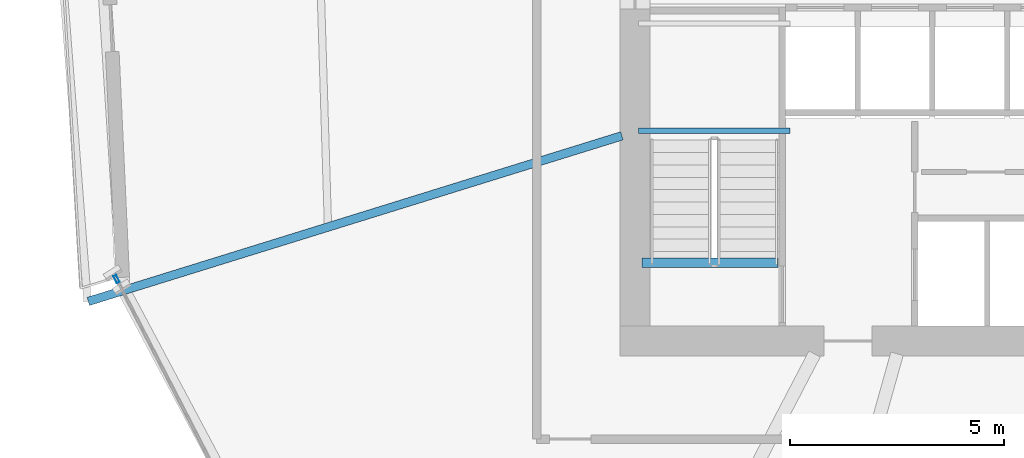
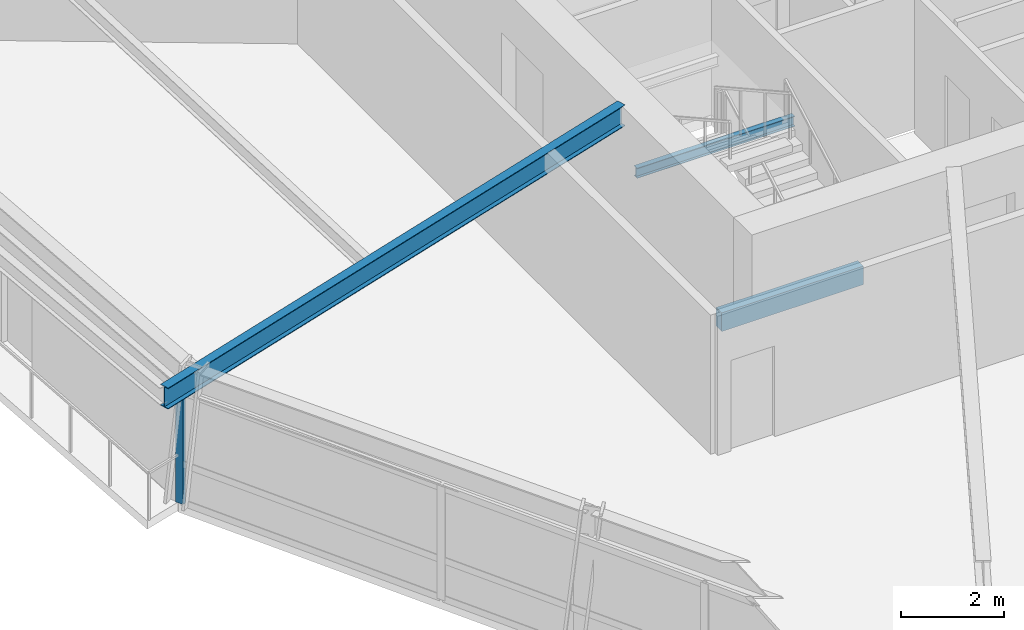
# One storey, part 5 of 19: 3 beams, 1 member, 1 element without a shape of its own.
"""IFC4 building model written with IfcOpenShell, lengths in metres."""

from ifc_helpers import new_model, si_unit, direction, frame, origin, origin_2d, place, context, subcontext, project, spatial, rectangle, hollow_rectangle, i_section, extrude, source, transform, mapped, material, material_profile, profile_set, type_object, element, aggregate, save


model = new_model("IFC4")

# Units and contexts
model_context = context("Model", 3, precision=1e-05, world=origin(), true_north=direction((0.0, 1.0)))
body_context = subcontext(model_context, "Body", "Model", "MODEL_VIEW")
ifc_project = project(units=[si_unit("LENGTHUNIT", "METRE"), si_unit("AREAUNIT", "SQUARE_METRE"), si_unit("VOLUMEUNIT", "CUBIC_METRE"), si_unit("PLANEANGLEUNIT", "RADIAN"), si_unit("MASSUNIT", "GRAM", prefix="KILO")], contexts=[model_context])

# Site, building, storey
site_placement = place(None, origin())
site = spatial("IfcSite", under=ifc_project, at=site_placement, CompositionType="ELEMENT")
building_placement = place(site_placement, origin())
building = spatial("IfcBuilding", under=site, at=building_placement, Name="Olszyna Solenne Hotel", CompositionType="ELEMENT")
storey_placement = place(building_placement, frame((0.0, 0.0, 102.14990234375)))
storey = spatial("IfcBuildingStorey", under=building, at=storey_placement, Name="L26", CompositionType="ELEMENT", Elevation=102.14990234375)

# Beam
ifc_material_1 = material(Name="Steel S355J2", Category="steel")
ifc_material_profile_1 = material_profile(ifc_material_1, i_section(OverallWidth=0.199951171875, OverallDepth=0.5, WebThickness=0.01025390625, FlangeThickness=0.01611328125, at=origin_2d()), Name="IPE 500", Category="load-bearing")
ifc_profile_set_1 = profile_set([ifc_material_profile_1], Name="Steel S355J2")
beam_type_1 = type_object("IfcBeamType", Name="BM-F3", PredefinedType="BEAM", material=ifc_profile_set_1)
shared_shape_1 = source(origin(), body_context, "Body", "SweptSolid", [
    extrude(i_section(OverallWidth=0.199951171875, OverallDepth=0.5, WebThickness=0.01025390625, FlangeThickness=0.01611328125, at=origin_2d()), origin(), (0.0, 0.0, 1.0), 13.076171875),
])
beam_1_placement = place(storey_placement, frame((16.958984375, 20.074462890625, 3.050048828125), z_axis=(0.95507671128, 0.296358694103, 0.0), x_axis=(-0.296358694103, 0.95507671128, 0.0)))
element("IfcBeam", 1, at=beam_1_placement, inside=storey, type_object=beam_type_1, Name="Radial floor girder BM-F3 B-L26-0797", PredefinedType="BEAM", context=body_context, shape_type="MappedRepresentation", body=[
    mapped(shared_shape_1, transform((0.0, 0.0, 0.0), x_axis=(1.0, 0.0, 0.0), y_axis=(0.0, 1.0, 0.0), z_axis=(0.0, 0.0, 1.0), scale=1.0)),
])

# Curtain wall, member
ifc_material_2 = material(Name="Anodised bronze aluminium", Category="aluminium")
curtain_wall_type = type_object("IfcCurtainWallType", Name="CW-SYS-3", PredefinedType="NOTDEFINED", material=ifc_material_2)
curtain_wall_placement = place(storey_placement, origin())
curtain_wall = element("IfcCurtainWall", 2, at=curtain_wall_placement, inside=storey, type_object=curtain_wall_type, Name="Unitised curtain wall CW-SYS-3 CW-L26-01", PredefinedType="NOTDEFINED")
ifc_material_profile_2 = material_profile(ifc_material_2, hollow_rectangle(XDim=0.074951171875, YDim=0.179931640625, WallThickness=0.00439453125, at=origin_2d()), Name="MULL 180x75x4.5", Category="load-bearing")
ifc_profile_set_2 = profile_set([ifc_material_profile_2], Name="Anodised bronze aluminium")
member_type = type_object("IfcMemberType", Name="CW-M2", PredefinedType="MULLION", material=ifc_profile_set_2)
shared_shape_2 = source(origin(), body_context, "Body", "SweptSolid", [
    extrude(hollow_rectangle(XDim=0.074951171875, YDim=0.179931640625, WallThickness=0.00439453125, at=origin_2d()), origin(), (0.0, 0.0, 1.0), 2.692138671875),
])
member_placement = place(storey_placement, frame((17.61962890625, 20.595947265625, 0.0), z_axis=(0.0, 0.0, 1.0), x_axis=(0.888864979698, 0.458169234963, 0.0)))
member = element("IfcMember", 3, at=member_placement, type_object=member_type, Name="Curtain-wall mullion CW-M2 CM-L26-01-01", PredefinedType="MULLION", context=body_context, shape_type="MappedRepresentation", body=[
    mapped(shared_shape_2, transform((0.0, 0.0, 0.0), x_axis=(1.0, 0.0, 0.0), y_axis=(0.0, 1.0, 0.0), z_axis=(0.0, 0.0, 1.0), scale=1.0)),
])
aggregate(curtain_wall, [member])

# Beams
ifc_material_profile_3 = material_profile(ifc_material_1, i_section(OverallWidth=0.1201171875, OverallDepth=0.239990234375, WebThickness=0.006103515625, FlangeThickness=0.009765625, at=origin_2d()), Name="IPE 240", Category="load-bearing")
ifc_profile_set_3 = profile_set([ifc_material_profile_3], Name="Steel S355J2")
beam_type_2 = type_object("IfcBeamType", Name="JS-03", PredefinedType="JOIST", material=ifc_profile_set_3)
shared_shape_3 = source(origin(), body_context, "Body", "SweptSolid", [
    extrude(i_section(OverallWidth=0.1201171875, OverallDepth=0.239990234375, WebThickness=0.006103515625, FlangeThickness=0.009765625, at=origin_2d()), origin(), (0.0, 0.0, 1.0), 3.539794921875),
])
beam_2_placement = place(storey_placement, frame((33.3798828125, 24.070068359375, 1.4501953125), z_axis=(-1.0, 0.0, 0.0), x_axis=(0.0, -1.0, 0.0)))
element("IfcBeam", 4, at=beam_2_placement, inside=storey, type_object=beam_type_2, Name="Stair landing support beam JS-03 SLB-ST1-0057", PredefinedType="JOIST", context=body_context, shape_type="MappedRepresentation", body=[
    mapped(shared_shape_3, transform((0.0, 0.0, 0.0), x_axis=(1.0, 0.0, 0.0), y_axis=(0.0, 1.0, 0.0), z_axis=(0.0, 0.0, 1.0), scale=1.0)),
])
ifc_material_3 = material(Name="Concrete C50/60", Category="concrete")
ifc_material_profile_4 = material_profile(ifc_material_3, rectangle(XDim=0.219970703125, YDim=0.43994140625, at=origin_2d()), Name="RC 220x440", Category="load-bearing")
ifc_profile_set_4 = profile_set([ifc_material_profile_4], Name="Concrete C50/60")
beam_type_3 = type_object("IfcBeamType", Name="BM-ST1", PredefinedType="BEAM", material=ifc_profile_set_4)
shared_shape_4 = source(origin(), body_context, "Body", "SweptSolid", [
    extrude(rectangle(XDim=0.219970703125, YDim=0.43994140625, at=origin_2d()), origin(), (0.0, 0.0, 1.0), 3.18017578125),
])
beam_3_placement = place(storey_placement, frame((33.10009765625, 20.97998046875, -0.204833984375), z_axis=(-1.0, 0.0, 0.0), x_axis=(0.0, -1.0, 0.0)))
element("IfcBeam", 5, at=beam_3_placement, inside=storey, type_object=beam_type_3, Name="Concrete stair trimmer beam BM-ST1 SHB-ST1-0188", PredefinedType="BEAM", context=body_context, shape_type="MappedRepresentation", body=[
    mapped(shared_shape_4, transform((0.0, 0.0, 0.0), x_axis=(1.0, 0.0, 0.0), y_axis=(0.0, 1.0, 0.0), z_axis=(0.0, 0.0, 1.0), scale=1.0)),
])

save(model, "model.ifc")
